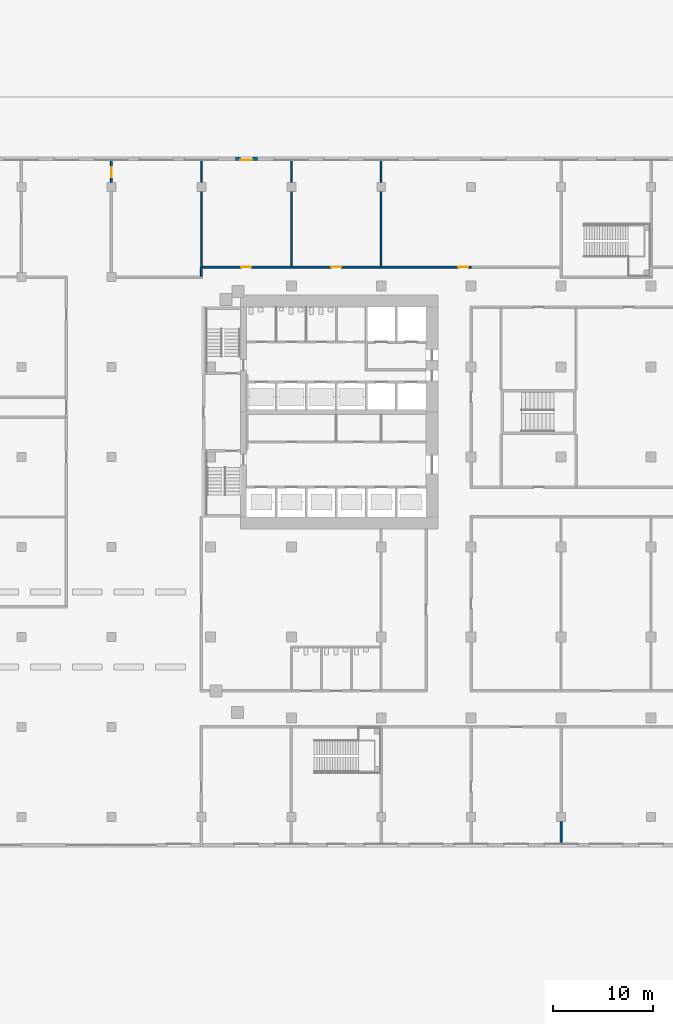
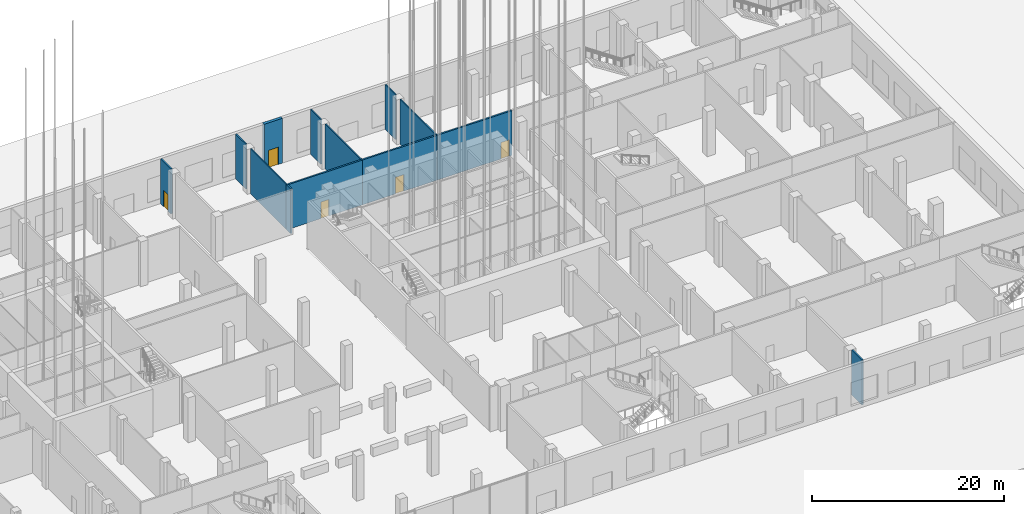
# One storey, part 41 of 55: 13 walls, 5 doors, 5 openings.
"""IFC4 building model written with IfcOpenShell, lengths in metres."""

import ifcopenshell
import ifcopenshell.guid

model = None  # the IFC model being written
_history = None  # IfcOwnerHistory: only IFC2X3 demands one
_inside = {}  # id of a spatial element -> (the spatial element, [elements in it])
_under = {}  # id of a project, library or spatial element -> (it, [spatial elements below it])
_declared = {}  # id of a project -> (the project, [libraries it declares])
_typed = {}  # id of a type object -> (the type object, [elements of that type])
_made_of = {}  # id of a material, layer set ... -> (it, [elements and type objects made of it])


def new_model(schema):
    """Start an empty IFC model of exactly this schema.

    Asked for "IFC4X3", IfcOpenShell would pick the latest addendum, in which some entities
    have other attributes; the version numbers below select the first issue.
    IFC2X3 requires an IfcOwnerHistory on every rooted entity: one is made here for all.
    """
    global model, _history
    if schema == "IFC4X3":
        model = ifcopenshell.file(schema_version=(4, 3, 0, 0))
    else:
        model = ifcopenshell.file(schema=schema)
    _inside.clear()
    _under.clear()
    _declared.clear()
    _typed.clear()
    _made_of.clear()
    _history = None
    if model.schema == "IFC2X3":
        org = make("IfcOrganization", Name="unknown")
        user = make(
            "IfcPersonAndOrganization",
            ThePerson=make("IfcPerson", FamilyName="unknown"),
            TheOrganization=org,
        )
        app = make(
            "IfcApplication",
            ApplicationDeveloper=org,
            Version="unknown",
            ApplicationFullName="unknown",
            ApplicationIdentifier="unknown",
        )
        _history = make(
            "IfcOwnerHistory",
            OwningUser=user,
            OwningApplication=app,
            ChangeAction="ADDED",
            CreationDate=0,
        )
    return model


def make(cls, **values):
    """One entity of the class cls with the attributes given. An attribute that is None is left unset."""
    return model.create_entity(
        cls, **{name: value for name, value in values.items() if value is not None}
    )


def rooted(cls, **values):
    """An entity with a GlobalId (a new one), such as an element, a storey or a relation."""
    return make(cls, GlobalId=ifcopenshell.guid.new(), OwnerHistory=_history, **values)


def si_unit(unit_type, name, prefix=None):
    """IfcSIUnit, for example si_unit("LENGTHUNIT", "METRE", prefix="MILLI")."""
    return make("IfcSIUnit", UnitType=unit_type, Prefix=prefix, Name=name)


def assignment(units):
    """IfcUnitAssignment: the units of a project."""
    return None if units is None else make("IfcUnitAssignment", Units=units)


def point(xyz):
    """IfcCartesianPoint."""
    return None if xyz is None else make("IfcCartesianPoint", Coordinates=xyz)


def direction(xyz):
    """IfcDirection."""
    return None if xyz is None else make("IfcDirection", DirectionRatios=xyz)


def frame(location, z_axis=None, x_axis=None):
    """IfcAxis2Placement3D, a coordinate frame: its origin and axes. An axis left out is left unset."""
    return make(
        "IfcAxis2Placement3D",
        Location=point(location),
        Axis=direction(z_axis),
        RefDirection=direction(x_axis),
    )


def frame_2d(location, x_axis=None):
    """IfcAxis2Placement2D, a coordinate frame in the plane: its origin and x axis."""
    return make(
        "IfcAxis2Placement2D", Location=point(location), RefDirection=direction(x_axis)
    )


def origin():
    """The frame at (0, 0, 0) with its axes left unset."""
    return frame((0.0, 0.0, 0.0))


def place(relative_to, where):
    """IfcLocalPlacement: puts the frame where relative to a parent placement (None: the world)."""
    return make(
        "IfcLocalPlacement", PlacementRelTo=relative_to, RelativePlacement=where
    )


def context(
    kind, dimensions, precision=None, world=None, true_north=None, identifier=None
):
    """IfcGeometricRepresentationContext, for example the 3D "Model" context."""
    return make(
        "IfcGeometricRepresentationContext",
        ContextIdentifier=identifier,
        ContextType=kind,
        CoordinateSpaceDimension=dimensions,
        Precision=precision,
        WorldCoordinateSystem=world,
        TrueNorth=true_north,
    )


def subcontext(parent, identifier, kind, view, scale=None):
    """IfcGeometricRepresentationSubContext, for example "Body" below "Model"."""
    return make(
        "IfcGeometricRepresentationSubContext",
        ContextIdentifier=identifier,
        ContextType=kind,
        ParentContext=parent,
        TargetScale=scale,
        TargetView=view,
    )


def project(units=None, contexts=None):
    """IfcProject with its units and contexts."""
    return rooted(
        "IfcProject",
        Name="project",
        RepresentationContexts=contexts,
        UnitsInContext=assignment(units),
    )


def spatial(cls, under=None, at=None, **own):
    """A site, building, storey or space (cls), placed at a placement, below another one or the project."""
    s = rooted(cls, ObjectPlacement=at, **own)
    if under is not None:
        _under.setdefault(under.id(), (under, []))[1].append(s)
    return s


def profile(cls, at=None, kind="AREA", **sizes):
    """A parametric profile (cls). Its sizes go by their IFC names, for example OverallWidth=200.0."""
    return make(cls, ProfileType=kind, Position=at, **sizes)


def rectangle(**sizes):
    """IfcRectangleProfileDef."""
    return profile("IfcRectangleProfileDef", **sizes)


def extrude(swept, where, along, depth):
    """IfcExtrudedAreaSolid: the profile swept, set in the frame where, extruded along a direction by depth."""
    return make(
        "IfcExtrudedAreaSolid",
        SweptArea=swept,
        Position=where,
        ExtrudedDirection=direction(along),
        Depth=depth,
    )


def shape(context_of_items, identifier, shape_type, items):
    """IfcShapeRepresentation: the items that make up one representation, for example the "Body"."""
    return make(
        "IfcShapeRepresentation",
        ContextOfItems=context_of_items,
        RepresentationIdentifier=identifier,
        RepresentationType=shape_type,
        Items=items,
    )


def material(Name=None, Category=None):
    """IfcMaterial."""
    return make("IfcMaterial", Name=Name, Category=Category)


def layer(
    of_material, thickness, ventilated=None, Name=None, Category=None, Priority=None
):
    """IfcMaterialLayer: one layer of a wall or slab, of a material (None: an air gap)."""
    return make(
        "IfcMaterialLayer",
        Material=of_material,
        LayerThickness=thickness,
        IsVentilated=ventilated,
        Name=Name,
        Category=Category,
        Priority=Priority,
    )


def layer_set(layers, Name=None):
    """IfcMaterialLayerSet."""
    return make("IfcMaterialLayerSet", MaterialLayers=layers, LayerSetName=Name)


def made_of(thing, what):
    """Note that an element or type object is made of a material, layer set ...; save() writes the relation."""
    if what is not None:
        _made_of.setdefault(what.id(), (what, []))[1].append(thing)
    return thing


def type_object(cls, material=None, **own):
    """A type object (cls), such as IfcWallType, which elements share."""
    return made_of(rooted(cls, **own), material)


def element(
    cls,
    number,
    at=None,
    inside=None,
    cuts=None,
    type_object=None,
    material=None,
    context=None,
    identifier="Body",
    shape_type=None,
    held_by="IfcProductDefinitionShape",
    body=None,
    shapes=None,
    **own,
):
    """One element of the class cls, such as IfcWall. Its Tag is "e" and its number.

    at: its placement. inside: the storey or other place that contains it. cuts: it is an
    opening in that element (IfcRelVoidsElement). A single representation is given by context,
    identifier, shape_type and body (its items); several are given by shapes. held_by: the class
    of the entity that holds the representations. save() writes the other relations.
    """
    e = rooted(cls, Tag="e%d" % number, ObjectPlacement=at, **own)
    if body is not None:
        shapes = [shape(context, identifier, shape_type, body)]
    if shapes is not None:
        e.Representation = make(held_by, Representations=shapes)
    if inside is not None:
        _inside.setdefault(inside.id(), (inside, []))[1].append(e)
    if cuts is not None:
        rooted(
            "IfcRelVoidsElement", RelatingBuildingElement=cuts, RelatedOpeningElement=e
        )
    if type_object is not None:
        _typed.setdefault(type_object.id(), (type_object, []))[1].append(e)
    return made_of(e, material)


def fill(opening, filler):
    """IfcRelFillsElement: the door or window that sits in an opening."""
    return rooted(
        "IfcRelFillsElement",
        RelatingOpeningElement=opening,
        RelatedBuildingElement=filler,
    )


def aggregate(whole, parts):
    """IfcRelAggregates: a whole, such as a stair, and the parts it consists of."""
    return rooted("IfcRelAggregates", RelatingObject=whole, RelatedObjects=parts)


def save(model, path):
    """Write the relations noted so far, then the file.

    IfcRelAggregates (storeys below a building ...), IfcRelContainedInSpatialStructure (elements
    in a storey), IfcRelDefinesByType, IfcRelAssociatesMaterial and IfcRelDeclares: one each for
    every whole, place, type object, material and project.
    """
    for whole, parts in _under.values():
        aggregate(whole, parts)
    for where, things in _inside.values():
        rooted(
            "IfcRelContainedInSpatialStructure",
            RelatedElements=things,
            RelatingStructure=where,
        )
    for kind, things in _typed.values():
        rooted("IfcRelDefinesByType", RelatedObjects=things, RelatingType=kind)
    for what, things in _made_of.values():
        rooted("IfcRelAssociatesMaterial", RelatedObjects=things, RelatingMaterial=what)
    for by, libraries in _declared.values():
        rooted("IfcRelDeclares", RelatingContext=by, RelatedDefinitions=libraries)
    model.write(path)


model = new_model("IFC4")

# Units and contexts
model_context = context("Model", 3, precision=1e-05, world=origin(), true_north=direction((0.0, 1.0)))
body_context = subcontext(model_context, "Body", "Model", "MODEL_VIEW")
ifc_project = project(units=[si_unit("LENGTHUNIT", "METRE"), si_unit("AREAUNIT", "SQUARE_METRE"), si_unit("VOLUMEUNIT", "CUBIC_METRE"), si_unit("PLANEANGLEUNIT", "RADIAN"), si_unit("MASSUNIT", "GRAM", prefix="KILO")], contexts=[model_context])

# Site, building, storey
site_placement = place(None, origin())
site = spatial("IfcSite", under=ifc_project, at=site_placement, CompositionType="ELEMENT")
building_placement = place(site_placement, origin())
building = spatial("IfcBuilding", under=site, at=building_placement, Name="Cinnabar Reach Civic Tower", CompositionType="ELEMENT")
storey_placement = place(building_placement, origin())
storey = spatial("IfcBuildingStorey", under=building, at=storey_placement, Name="L00", CompositionType="ELEMENT", Elevation=0.0)

# Wall, opening, door
ifc_material_1 = material(Name="Facing brick with insulated backing", Category="masonry")
ifc_layer_1 = layer(ifc_material_1, 0.36)
ifc_layer_set_1 = layer_set([ifc_layer_1], Name="Brick pier and spandrel wall")
wall_type_1 = type_object("IfcWallType", Name="Brick pier and spandrel wall", PredefinedType="STANDARD", material=ifc_layer_set_1)
wall_1_placement = place(storey_placement, frame((5.6, 56.82, 0.0), z_axis=(0.0, 0.0, 1.0), x_axis=(-1.0, 0.0, 0.0)))
wall_1 = element("IfcWall", 1, at=wall_1_placement, inside=storey, type_object=wall_type_1, Name="Brick facade wall", PredefinedType="STANDARD", context=body_context, shape_type="SweptSolid", body=[
    extrude(rectangle(XDim=2.2, YDim=0.36, at=frame_2d((1.1, 0.0))), origin(), (0.0, 0.0, 1.0), 5.7),
])
opening_1_placement = place(wall_1_placement, frame((0.5, 0.0, 0.0)))
opening_1 = element("IfcOpeningElement", 2, at=opening_1_placement, cuts=wall_1, Name="Opening D7542", PredefinedType="OPENING", context=body_context, shape_type="SweptSolid", body=[
    extrude(rectangle(XDim=1.2, YDim=2.2, at=frame_2d((0.6, 1.1))), frame((0.0, 0.19, 0.0), z_axis=(0.0, -1.0, 0.0), x_axis=(1.0, 0.0, 0.0)), (0.0, 0.0, 1.0), 0.38),
])
ifc_material_2 = material(Name="Steel fire door", Category="steel")
door_type_1 = type_object("IfcDoorType", Name="Facade fire control room door", OperationType="SINGLE_SWING_LEFT", PredefinedType="DOOR", material=ifc_material_2)
door_1_placement = place(opening_1_placement, frame((1.2, 0.0, 0.0), z_axis=(0.0, 0.0, 1.0), x_axis=(-1.0, 0.0, 0.0)))
door_1 = element("IfcDoor", 3, at=door_1_placement, inside=storey, type_object=door_type_1, Name="Fire control room door", OperationType="SINGLE_SWING_LEFT", OverallHeight=2.2, OverallWidth=1.2, PredefinedType="DOOR", context=body_context, shape_type="SweptSolid", body=[
    extrude(rectangle(XDim=1.2, YDim=2.2, at=frame_2d((0.6, 1.1))), frame((0.0, -0.07, 0.0), z_axis=(0.0, -1.0, 0.0), x_axis=(1.0, 0.0, 0.0)), (0.0, 0.0, 1.0), 0.05),
])
fill(opening_1, door_1)

ifc_material_3 = material(Name="Concrete blockwork", Category="masonry")
ifc_layer_2 = layer(ifc_material_3, 0.2)
ifc_layer_set_2 = layer_set([ifc_layer_2], Name="Podium masonry corridor wall 200 EI 120")
wall_type_2 = type_object("IfcWallType", Name="Podium masonry corridor wall 200 EI 120", PredefinedType="PARTITIONING", material=ifc_layer_set_2)
wall_2_placement = place(storey_placement, frame((-9.0, 54.47, 0.0), z_axis=(0.0, 0.0, 1.0), x_axis=(0.0, 1.0, 0.0)))
wall_2 = element("IfcWall", 4, at=wall_2_placement, inside=storey, type_object=wall_type_2, Name="Wall L00 65", PredefinedType="PARTITIONING", context=body_context, shape_type="SweptSolid", body=[
    extrude(rectangle(XDim=2.13, YDim=0.2, at=frame_2d((1.065, 0.0))), origin(), (0.0, 0.0, 1.0), 5.7),
])
opening_2_placement = place(wall_2_placement, frame((0.53, 0.0, 0.0)))
opening_2 = element("IfcOpeningElement", 5, at=opening_2_placement, cuts=wall_2, Name="Opening D1003", PredefinedType="OPENING", context=body_context, shape_type="SweptSolid", body=[
    extrude(rectangle(XDim=1.0, YDim=2.1, at=frame_2d((0.5, 1.05))), frame((0.0, 0.11, 0.0), z_axis=(0.0, -1.0, 0.0), x_axis=(1.0, 0.0, 0.0)), (0.0, 0.0, 1.0), 0.22),
])
ifc_material_4 = material(Name="Painted steel door leaf", Category="steel")
door_type_2 = type_object("IfcDoorType", Name="Podium single door 1000x2100", OperationType="SINGLE_SWING_LEFT", PredefinedType="DOOR", material=ifc_material_4)
door_2_placement = place(opening_2_placement, frame((1.0, 0.0, 0.0), z_axis=(0.0, 0.0, 1.0), x_axis=(-1.0, 0.0, 0.0)))
door_2 = element("IfcDoor", 6, at=door_2_placement, inside=storey, type_object=door_type_2, Name="Door D1003", OperationType="SINGLE_SWING_RIGHT", OverallHeight=2.1, OverallWidth=1.0, PredefinedType="DOOR", context=body_context, shape_type="SweptSolid", body=[
    extrude(rectangle(XDim=1.0, YDim=2.1, at=frame_2d((0.5, 1.05))), frame((0.0, 0.025, 0.0), z_axis=(0.0, -1.0, 0.0), x_axis=(1.0, 0.0, 0.0)), (0.0, 0.0, 1.0), 0.05),
])
fill(opening_2, door_2)

# Wall
wall_3_placement = place(storey_placement, frame((0.0, 45.1, 0.0), z_axis=(0.0, 0.0, 1.0), x_axis=(0.0, 1.0, 0.0)))
element("IfcWall", 7, at=wall_3_placement, inside=storey, type_object=wall_type_2, Name="Wall L00 67", PredefinedType="PARTITIONING", context=body_context, shape_type="SweptSolid", body=[
    extrude(rectangle(XDim=0.9, YDim=0.2, at=frame_2d((0.45, 0.0))), origin(), (0.0, 0.0, 1.0), 5.7),
])

# Wall, opening, door
wall_4_placement = place(storey_placement, frame((0.1, 46.0, 0.0), z_axis=(0.0, 0.0, 1.0), x_axis=(1.0, 0.0, 0.0)))
wall_4 = element("IfcWall", 8, at=wall_4_placement, inside=storey, type_object=wall_type_2, Name="Wall L00 130", PredefinedType="PARTITIONING", context=body_context, shape_type="SweptSolid", body=[
    extrude(rectangle(XDim=8.9, YDim=0.2, at=frame_2d((4.45, 0.0))), origin(), (0.0, 0.0, 1.0), 5.7),
])
opening_3_placement = place(wall_4_placement, frame((3.9, 0.0, 0.0)))
opening_3 = element("IfcOpeningElement", 9, at=opening_3_placement, cuts=wall_4, Name="Opening D1000", PredefinedType="OPENING", context=body_context, shape_type="SweptSolid", body=[
    extrude(rectangle(XDim=1.0, YDim=2.1, at=frame_2d((0.5, 1.05))), frame((0.0, 0.11, 0.0), z_axis=(0.0, -1.0, 0.0), x_axis=(1.0, 0.0, 0.0)), (0.0, 0.0, 1.0), 0.22),
])
door_3_placement = place(opening_3_placement, origin())
door_3 = element("IfcDoor", 10, at=door_3_placement, inside=storey, type_object=door_type_2, Name="Door D1000", OperationType="SINGLE_SWING_RIGHT", OverallHeight=2.1, OverallWidth=1.0, PredefinedType="DOOR", context=body_context, shape_type="SweptSolid", body=[
    extrude(rectangle(XDim=1.0, YDim=2.1, at=frame_2d((0.5, 1.05))), frame((0.0, 0.025, 0.0), z_axis=(0.0, -1.0, 0.0), x_axis=(1.0, 0.0, 0.0)), (0.0, 0.0, 1.0), 0.05),
])
fill(opening_3, door_3)

wall_5_placement = place(storey_placement, frame((9.0, 46.0, 0.0), z_axis=(0.0, 0.0, 1.0), x_axis=(1.0, 0.0, 0.0)))
wall_5 = element("IfcWall", 11, at=wall_5_placement, inside=storey, type_object=wall_type_2, Name="Wall L00 131", PredefinedType="PARTITIONING", context=body_context, shape_type="SweptSolid", body=[
    extrude(rectangle(XDim=9.0, YDim=0.2, at=frame_2d((4.5, 0.0))), origin(), (0.0, 0.0, 1.0), 5.7),
])
opening_4_placement = place(wall_5_placement, frame((4.0, 0.0, 0.0)))
opening_4 = element("IfcOpeningElement", 12, at=opening_4_placement, cuts=wall_5, Name="Opening D1040", PredefinedType="OPENING", context=body_context, shape_type="SweptSolid", body=[
    extrude(rectangle(XDim=1.0, YDim=2.1, at=frame_2d((0.5, 1.05))), frame((0.0, 0.11, 0.0), z_axis=(0.0, -1.0, 0.0), x_axis=(1.0, 0.0, 0.0)), (0.0, 0.0, 1.0), 0.22),
])
door_4_placement = place(opening_4_placement, origin())
door_4 = element("IfcDoor", 13, at=door_4_placement, inside=storey, type_object=door_type_2, Name="Door D1040", OperationType="SINGLE_SWING_LEFT", OverallHeight=2.1, OverallWidth=1.0, PredefinedType="DOOR", context=body_context, shape_type="SweptSolid", body=[
    extrude(rectangle(XDim=1.0, YDim=2.1, at=frame_2d((0.5, 1.05))), frame((0.0, 0.025, 0.0), z_axis=(0.0, -1.0, 0.0), x_axis=(1.0, 0.0, 0.0)), (0.0, 0.0, 1.0), 0.05),
])
fill(opening_4, door_4)

wall_6_placement = place(storey_placement, frame((18.0, 46.0, 0.0), z_axis=(0.0, 0.0, 1.0), x_axis=(1.0, 0.0, 0.0)))
wall_6 = element("IfcWall", 14, at=wall_6_placement, inside=storey, type_object=wall_type_2, Name="Wall L00 132", PredefinedType="PARTITIONING", context=body_context, shape_type="SweptSolid", body=[
    extrude(rectangle(XDim=9.0, YDim=0.2, at=frame_2d((4.5, 0.0))), origin(), (0.0, 0.0, 1.0), 5.7),
])
opening_5_placement = place(wall_6_placement, frame((7.7, 0.0, 0.0)))
opening_5 = element("IfcOpeningElement", 15, at=opening_5_placement, cuts=wall_6, Name="Opening D1041", PredefinedType="OPENING", context=body_context, shape_type="SweptSolid", body=[
    extrude(rectangle(XDim=1.0, YDim=2.1, at=frame_2d((0.5, 1.05))), frame((0.0, 0.11, 0.0), z_axis=(0.0, -1.0, 0.0), x_axis=(1.0, 0.0, 0.0)), (0.0, 0.0, 1.0), 0.22),
])
door_5_placement = place(opening_5_placement, origin())
door_5 = element("IfcDoor", 16, at=door_5_placement, inside=storey, type_object=door_type_2, Name="Door D1041", OperationType="SINGLE_SWING_RIGHT", OverallHeight=2.1, OverallWidth=1.0, PredefinedType="DOOR", context=body_context, shape_type="SweptSolid", body=[
    extrude(rectangle(XDim=1.0, YDim=2.1, at=frame_2d((0.5, 1.05))), frame((0.0, 0.025, 0.0), z_axis=(0.0, -1.0, 0.0), x_axis=(1.0, 0.0, 0.0)), (0.0, 0.0, 1.0), 0.05),
])
fill(opening_5, door_5)

# Walls
wall_7_placement = place(storey_placement, frame((36.0, -11.6, 0.0), z_axis=(0.0, 0.0, 1.0), x_axis=(0.0, 1.0, 0.0)))
element("IfcWall", 17, at=wall_7_placement, inside=storey, type_object=wall_type_2, Name="Wall L00 153", PredefinedType="PARTITIONING", context=body_context, shape_type="SweptSolid", body=[
    extrude(rectangle(XDim=2.13, YDim=0.2, at=frame_2d((1.065, 0.0))), origin(), (0.0, 0.0, 1.0), 5.7),
])
ifc_material_5 = material(Name="Gypsum board on steel studs", Category="steel")
ifc_layer_3 = layer(ifc_material_5, 0.15)
ifc_layer_set_3 = layer_set([ifc_layer_3], Name="Podium partition wall 150 EI 90")
wall_type_3 = type_object("IfcWallType", Name="Podium partition wall 150 EI 90", PredefinedType="PARTITIONING", material=ifc_layer_set_3)
wall_8_placement = place(storey_placement, frame((0.0, 46.0, 0.0), z_axis=(0.0, 0.0, 1.0), x_axis=(0.0, 1.0, 0.0)))
element("IfcWall", 18, at=wall_8_placement, inside=storey, type_object=wall_type_3, Name="Wall L00 68", PredefinedType="PARTITIONING", context=body_context, shape_type="SweptSolid", body=[
    extrude(rectangle(XDim=7.53, YDim=0.15, at=frame_2d((3.765, 0.0))), origin(), (0.0, 0.0, 1.0), 5.7),
])
wall_9_placement = place(storey_placement, frame((0.0, 54.47, 0.0), z_axis=(0.0, 0.0, 1.0), x_axis=(0.0, 1.0, 0.0)))
element("IfcWall", 19, at=wall_9_placement, inside=storey, type_object=wall_type_3, Name="Wall L00 69", PredefinedType="PARTITIONING", context=body_context, shape_type="SweptSolid", body=[
    extrude(rectangle(XDim=2.13, YDim=0.15, at=frame_2d((1.065, 0.0))), origin(), (0.0, 0.0, 1.0), 5.7),
])
wall_10_placement = place(storey_placement, frame((9.0, 46.1, 0.0), z_axis=(0.0, 0.0, 1.0), x_axis=(0.0, 1.0, 0.0)))
element("IfcWall", 20, at=wall_10_placement, inside=storey, type_object=wall_type_3, Name="Wall L00 197", PredefinedType="PARTITIONING", context=body_context, shape_type="SweptSolid", body=[
    extrude(rectangle(XDim=7.43, YDim=0.15, at=frame_2d((3.715, 0.0))), origin(), (0.0, 0.0, 1.0), 5.7),
])
wall_11_placement = place(storey_placement, frame((9.0, 54.47, 0.0), z_axis=(0.0, 0.0, 1.0), x_axis=(0.0, 1.0, 0.0)))
element("IfcWall", 21, at=wall_11_placement, inside=storey, type_object=wall_type_3, Name="Wall L00 198", PredefinedType="PARTITIONING", context=body_context, shape_type="SweptSolid", body=[
    extrude(rectangle(XDim=2.13, YDim=0.15, at=frame_2d((1.065, 0.0))), origin(), (0.0, 0.0, 1.0), 5.7),
])
wall_12_placement = place(storey_placement, frame((18.0, 46.1, 0.0), z_axis=(0.0, 0.0, 1.0), x_axis=(0.0, 1.0, 0.0)))
element("IfcWall", 22, at=wall_12_placement, inside=storey, type_object=wall_type_3, Name="Wall L00 199", PredefinedType="PARTITIONING", context=body_context, shape_type="SweptSolid", body=[
    extrude(rectangle(XDim=7.43, YDim=0.15, at=frame_2d((3.715, 0.0))), origin(), (0.0, 0.0, 1.0), 5.7),
])
wall_13_placement = place(storey_placement, frame((18.0, 54.47, 0.0), z_axis=(0.0, 0.0, 1.0), x_axis=(0.0, 1.0, 0.0)))
element("IfcWall", 23, at=wall_13_placement, inside=storey, type_object=wall_type_3, Name="Wall L00 200", PredefinedType="PARTITIONING", context=body_context, shape_type="SweptSolid", body=[
    extrude(rectangle(XDim=2.13, YDim=0.15, at=frame_2d((1.065, 0.0))), origin(), (0.0, 0.0, 1.0), 5.7),
])

save(model, "model.ifc")
